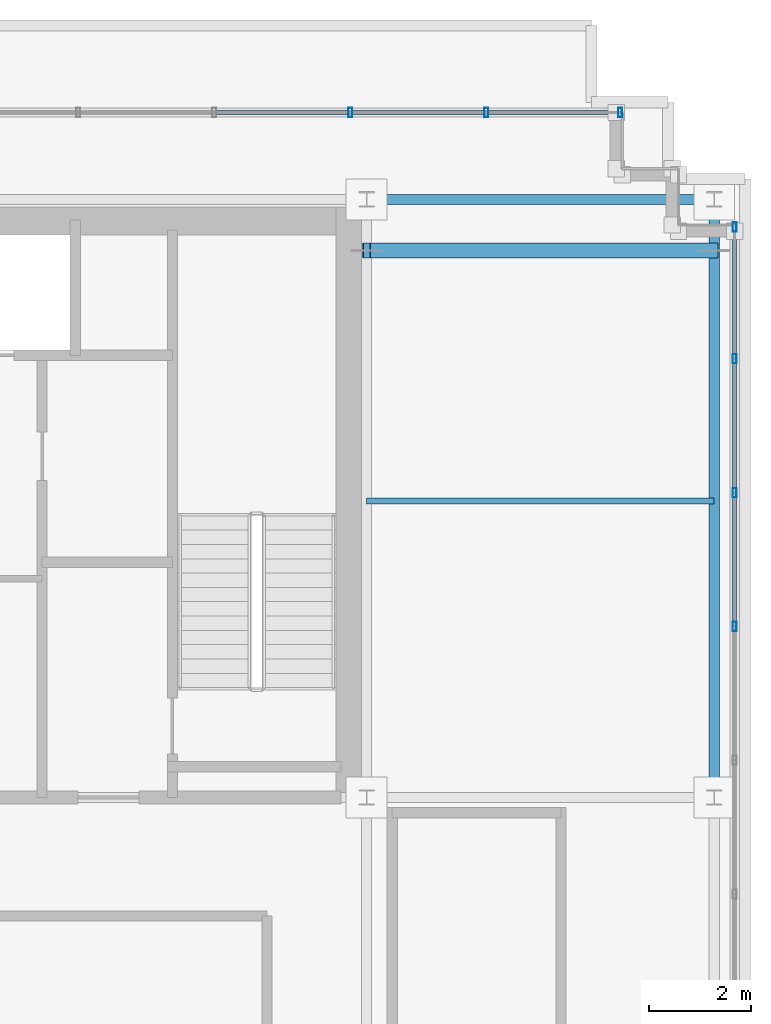
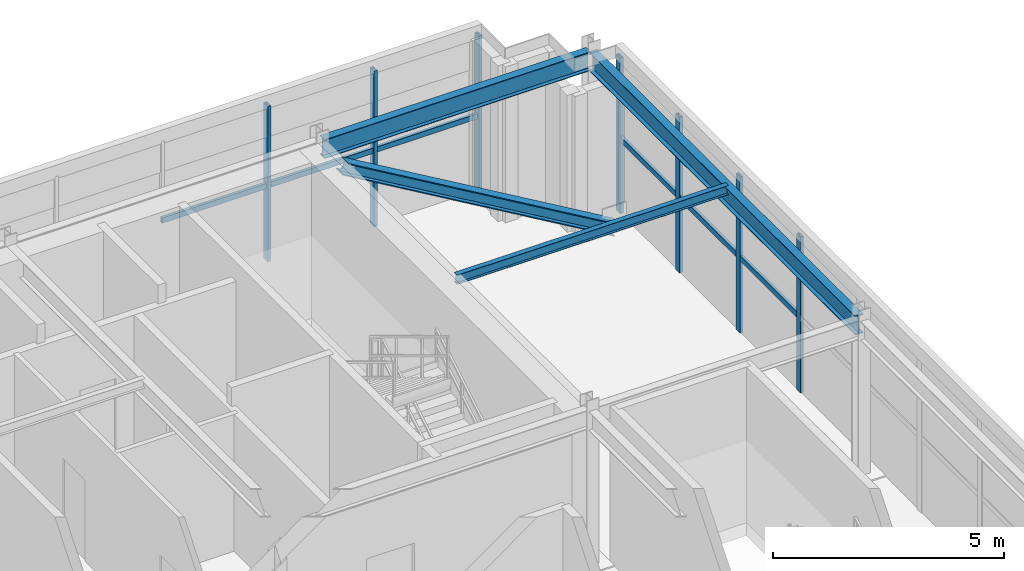
# One storey, part 24 of 38: 15 members, 2 beams, 2 elements without a shape of their own.
"""IFC4 building model written with IfcOpenShell, lengths in metres."""

from ifc_helpers import new_model, si_unit, direction, frame, origin, origin_2d, place, context, subcontext, project, spatial, hollow_rectangle, i_section, extrude, source, transform, mapped, material, material_profile, profile_set, type_object, element, aggregate, save


model = new_model("IFC4")

# Units and contexts
model_context = context("Model", 3, precision=1e-05, world=origin(), true_north=direction((0.0, 1.0)))
body_context = subcontext(model_context, "Body", "Model", "MODEL_VIEW")
ifc_project = project(units=[si_unit("LENGTHUNIT", "METRE"), si_unit("AREAUNIT", "SQUARE_METRE"), si_unit("VOLUMEUNIT", "CUBIC_METRE"), si_unit("PLANEANGLEUNIT", "RADIAN"), si_unit("MASSUNIT", "GRAM", prefix="KILO")], contexts=[model_context])

# Site, building, storey
site_placement = place(None, origin())
site = spatial("IfcSite", under=ifc_project, at=site_placement, CompositionType="ELEMENT")
building_placement = place(site_placement, origin())
building = spatial("IfcBuilding", under=site, at=building_placement, Name="Trelvane Seafront Commons", CompositionType="ELEMENT")
storey_placement = place(building_placement, frame((0.0, 0.0, 299.10009765625)))
storey = spatial("IfcBuildingStorey", under=building, at=storey_placement, Name="L78", CompositionType="ELEMENT", Elevation=299.10009765625)

# Beams
ifc_material_1 = material(Name="Steel SM355 (S355)", Category="steel")
ifc_material_profile_1 = material_profile(ifc_material_1, i_section(OverallWidth=0.199951171875, OverallDepth=0.5, WebThickness=0.010009765625, FlangeThickness=0.01611328125, at=origin_2d()), Name="H-500x200x10x16")
ifc_profile_set_1 = profile_set([ifc_material_profile_1], Name="Steel SM355 (S355)")
beam_type_1 = type_object("IfcBeamType", Name="STR-CROWN-FRAME-RING", PredefinedType="SPANDREL", material=ifc_profile_set_1)
shared_shape_1 = source(origin(), body_context, "Body", "SweptSolid", [
    extrude(i_section(OverallWidth=0.199951171875, OverallDepth=0.5, WebThickness=0.010009765625, FlangeThickness=0.01611328125, at=origin_2d()), origin(), (0.0, 0.0, 1.0), 6.64990234375),
])
beam_1_placement = place(storey_placement, frame((58.875, 45.10009765625, 3.869873046875), z_axis=(1.0, 0.0, 0.0), x_axis=(0.0, 1.0, 0.0)))
element("IfcBeam", 1, at=beam_1_placement, inside=storey, type_object=beam_type_1, Name="L78 CROWN FRAME Ring Beam G-21", PredefinedType="SPANDREL", context=body_context, shape_type="MappedRepresentation", body=[
    mapped(shared_shape_1, transform((0.0, 0.0, 0.0), x_axis=(1.0, 0.0, 0.0), y_axis=(0.0, 1.0, 0.0), z_axis=(0.0, 0.0, 1.0), scale=1.0)),
])
ifc_material_profile_2 = material_profile(ifc_material_1, i_section(OverallWidth=0.199951171875, OverallDepth=0.5, WebThickness=0.010009765625, FlangeThickness=0.01611328125, at=origin_2d()), Name="H-500x200x10x16")
ifc_profile_set_2 = profile_set([ifc_material_profile_2], Name="Steel SM355 (S355)")
beam_type_2 = type_object("IfcBeamType", Name="STR-BM-H500", PredefinedType="BEAM", material=ifc_profile_set_2)
shared_shape_2 = source(origin(), body_context, "Body", "SweptSolid", [
    extrude(i_section(OverallWidth=0.199951171875, OverallDepth=0.5, WebThickness=0.010009765625, FlangeThickness=0.01611328125, at=origin_2d()), origin(), (0.0, 0.0, 1.0), 11.5498046875),
])
beam_2_placement = place(storey_placement, frame((65.60009765625, 33.47509765625, 3.869873046875), z_axis=(0.0, 1.0, 0.0), x_axis=(-1.0, 0.0, 0.0)))
element("IfcBeam", 2, at=beam_2_placement, inside=storey, type_object=beam_type_2, Name="L78 Primary Girder G-37", PredefinedType="BEAM", context=body_context, shape_type="MappedRepresentation", body=[
    mapped(shared_shape_2, transform((0.0, 0.0, 0.0), x_axis=(1.0, 0.0, 0.0), y_axis=(0.0, 1.0, 0.0), z_axis=(0.0, 0.0, 1.0), scale=1.0)),
])

# Members
ifc_material_profile_3 = material_profile(ifc_material_1, i_section(OverallWidth=0.125, OverallDepth=0.25, WebThickness=0.006103515625, FlangeThickness=0.009033203125, at=origin_2d()), Name="H-250x125x6x9")
ifc_profile_set_3 = profile_set([ifc_material_profile_3], Name="Steel SM355 (S355)")
member_type_1 = type_object("IfcMemberType", Name="STR-PUR-H250", PredefinedType="PURLIN", material=ifc_profile_set_3)
shared_shape_3 = source(origin(), body_context, "Body", "SweptSolid", [
    extrude(i_section(OverallWidth=0.125, OverallDepth=0.25, WebThickness=0.006103515625, FlangeThickness=0.009033203125, at=origin_2d()), origin(), (0.0, 0.0, 1.0), 6.800048828125),
])
member_1_placement = place(storey_placement, frame((58.800048828125, 39.199951171875, 3.994873046875), z_axis=(1.0, 0.0, 0.0), x_axis=(0.0, 1.0, 0.0)))
element("IfcMember", 3, at=member_1_placement, inside=storey, type_object=member_type_1, Name="L78 Crown Roof Purlin PR-2", PredefinedType="PURLIN", context=body_context, shape_type="MappedRepresentation", body=[
    mapped(shared_shape_3, transform((0.0, 0.0, 0.0), x_axis=(1.0, 0.0, 0.0), y_axis=(0.0, 1.0, 0.0), z_axis=(0.0, 0.0, 1.0), scale=1.0)),
])
ifc_material_profile_4 = material_profile(ifc_material_1, i_section(OverallWidth=0.300048828125, OverallDepth=0.300048828125, WebThickness=0.014892578125, FlangeThickness=0.02392578125, at=origin_2d()), Name="HD-300x300x15x24")
ifc_profile_set_4 = profile_set([ifc_material_profile_4], Name="Steel SM355 (S355)")
member_type_2 = type_object("IfcMemberType", Name="STR-CROWN-FRAME-BRC", PredefinedType="BRACE", material=ifc_profile_set_4)
shared_shape_4 = source(origin(), body_context, "Body", "SweptSolid", [
    extrude(i_section(OverallWidth=0.300048828125, OverallDepth=0.300048828125, WebThickness=0.014892578125, FlangeThickness=0.02392578125, at=origin_2d()), origin(), (0.0, 0.0, 1.0), 7.88916015625),
])
member_2_placement = place(storey_placement, frame((65.60009765625, 44.10009765625, 0.0), z_axis=(-0.861935806202, 0.0, 0.507017421779), x_axis=(0.0, -1.0, 0.0)))
element("IfcMember", 4, at=member_2_placement, inside=storey, type_object=member_type_2, Name="L78 CROWN FRAME Diagonal Brace CE", PredefinedType="BRACE", context=body_context, shape_type="MappedRepresentation", body=[
    mapped(shared_shape_4, transform((0.0, 0.0, 0.0), x_axis=(1.0, 0.0, 0.0), y_axis=(0.0, 1.0, 0.0), z_axis=(0.0, 0.0, 1.0), scale=1.0)),
])

# Curtain wall, members
ifc_material_2 = material(Name="Anodised pale-silver aluminium", Category="aluminium")
curtain_wall_type = type_object("IfcCurtainWallType", Name="ARCH-CW6-CROWN", PredefinedType="NOTDEFINED", material=ifc_material_2)
curtain_wall_1_placement = place(storey_placement, origin())
curtain_wall_1 = element("IfcCurtainWall", 5, at=curtain_wall_1_placement, inside=storey, type_object=curtain_wall_type, Name="CW-L78-0125", PredefinedType="NOTDEFINED")
ifc_material_profile_5 = material_profile(ifc_material_2, hollow_rectangle(XDim=0.080078125, YDim=0.179931640625, WallThickness=0.00439453125, at=origin_2d()), Name="MULL-80x180x4.5")
ifc_profile_set_5 = profile_set([ifc_material_profile_5], Name="Anodised pale-silver aluminium")
member_type_3 = type_object("IfcMemberType", Name="ARCH-CW-MULL-180", PredefinedType="MULLION", material=ifc_profile_set_5)
shared_shape_5 = source(origin(), body_context, "Body", "SweptSolid", [
    extrude(hollow_rectangle(XDim=0.080078125, YDim=0.179931640625, WallThickness=0.00439453125, at=origin_2d()), origin(), (0.0, 0.0, 1.0), 4.119873046875),
])
member_3_placement = place(storey_placement, frame((58.47998046875, 46.800048828125, 0.0), z_axis=(0.0, 0.0, 1.0), x_axis=(1.0, 0.0, 0.0)))
member_3 = element("IfcMember", 6, at=member_3_placement, type_object=member_type_3, Name="CW-L78-0125-M18", PredefinedType="MULLION", context=body_context, shape_type="MappedRepresentation", body=[
    mapped(shared_shape_5, transform((0.0, 0.0, 0.0), x_axis=(1.0, 0.0, 0.0), y_axis=(0.0, 1.0, 0.0), z_axis=(0.0, 0.0, 1.0), scale=1.0)),
])
member_4_placement = place(storey_placement, frame((61.139892578125, 46.800048828125, 0.0), z_axis=(0.0, 0.0, 1.0), x_axis=(1.0, 0.0, 0.0)))
member_4 = element("IfcMember", 7, at=member_4_placement, type_object=member_type_3, Name="CW-L78-0125-M19", PredefinedType="MULLION", context=body_context, shape_type="MappedRepresentation", body=[
    mapped(shared_shape_5, transform((0.0, 0.0, 0.0), x_axis=(1.0, 0.0, 0.0), y_axis=(0.0, 1.0, 0.0), z_axis=(0.0, 0.0, 1.0), scale=1.0)),
])
member_5_placement = place(storey_placement, frame((63.760009765625, 46.800048828125, 0.0), z_axis=(0.0, 0.0, 1.0), x_axis=(1.0, 0.0, 0.0)))
member_5 = element("IfcMember", 8, at=member_5_placement, type_object=member_type_3, Name="CW-L78-0125-M20", PredefinedType="MULLION", context=body_context, shape_type="MappedRepresentation", body=[
    mapped(shared_shape_5, transform((0.0, 0.0, 0.0), x_axis=(1.0, 0.0, 0.0), y_axis=(0.0, 1.0, 0.0), z_axis=(0.0, 0.0, 1.0), scale=1.0)),
])

curtain_wall_2_placement = place(storey_placement, origin())
curtain_wall_2 = element("IfcCurtainWall", 9, at=curtain_wall_2_placement, inside=storey, type_object=curtain_wall_type, Name="CW-L78-0126", PredefinedType="NOTDEFINED")
member_6_placement = place(storey_placement, frame((66.0, 44.56005859375, 0.0), z_axis=(0.0, 0.0, 1.0), x_axis=(1.0, 0.0, 0.0)))
member_6 = element("IfcMember", 10, at=member_6_placement, type_object=member_type_3, Name="CW-L78-0126-M00", PredefinedType="MULLION", context=body_context, shape_type="MappedRepresentation", body=[
    mapped(shared_shape_5, transform((0.0, 0.0, 0.0), x_axis=(1.0, 0.0, 0.0), y_axis=(0.0, 1.0, 0.0), z_axis=(0.0, 0.0, 1.0), scale=1.0)),
])
member_7_placement = place(storey_placement, frame((66.0, 41.981689453125, 0.0), z_axis=(0.0, 0.0, 1.0), x_axis=(1.0, 0.0, 0.0)))
member_7 = element("IfcMember", 11, at=member_7_placement, type_object=member_type_3, Name="CW-L78-0126-M01", PredefinedType="MULLION", context=body_context, shape_type="MappedRepresentation", body=[
    mapped(shared_shape_5, transform((0.0, 0.0, 0.0), x_axis=(1.0, 0.0, 0.0), y_axis=(0.0, 1.0, 0.0), z_axis=(0.0, 0.0, 1.0), scale=1.0)),
])
member_8_placement = place(storey_placement, frame((66.0, 39.363525390625, 0.0), z_axis=(0.0, 0.0, 1.0), x_axis=(1.0, 0.0, 0.0)))
member_8 = element("IfcMember", 12, at=member_8_placement, type_object=member_type_3, Name="CW-L78-0126-M02", PredefinedType="MULLION", context=body_context, shape_type="MappedRepresentation", body=[
    mapped(shared_shape_5, transform((0.0, 0.0, 0.0), x_axis=(1.0, 0.0, 0.0), y_axis=(0.0, 1.0, 0.0), z_axis=(0.0, 0.0, 1.0), scale=1.0)),
])
member_9_placement = place(storey_placement, frame((66.0, 36.74560546875, 0.0), z_axis=(0.0, 0.0, 1.0), x_axis=(1.0, 0.0, 0.0)))
member_9 = element("IfcMember", 13, at=member_9_placement, type_object=member_type_3, Name="CW-L78-0126-M03", PredefinedType="MULLION", context=body_context, shape_type="MappedRepresentation", body=[
    mapped(shared_shape_5, transform((0.0, 0.0, 0.0), x_axis=(1.0, 0.0, 0.0), y_axis=(0.0, 1.0, 0.0), z_axis=(0.0, 0.0, 1.0), scale=1.0)),
])
ifc_material_profile_6 = material_profile(ifc_material_2, hollow_rectangle(XDim=0.074951171875, YDim=0.139892578125, WallThickness=0.00390625, at=origin_2d()), Name="TRAN-75x140x4")
ifc_profile_set_6 = profile_set([ifc_material_profile_6], Name="Anodised pale-silver aluminium")
member_type_4 = type_object("IfcMemberType", Name="ARCH-CW-TRAN-140", PredefinedType="USERDEFINED", material=ifc_profile_set_6)
shared_shape_6 = source(origin(), body_context, "Body", "SweptSolid", [
    extrude(hollow_rectangle(XDim=0.074951171875, YDim=0.139892578125, WallThickness=0.00390625, at=origin_2d()), origin(), (0.0, 0.0, 1.0), 2.59423828125),
])
member_10_placement = place(storey_placement, frame((66.0, 41.9697265625, 1.977783203125), z_axis=(0.0, -1.0, 0.0), x_axis=(1.0, 0.0, 0.0)))
member_10 = element("IfcMember", 14, at=member_10_placement, type_object=member_type_4, Name="CW-L78-0126-T01", ObjectType="TRANSOM", PredefinedType="USERDEFINED", context=body_context, shape_type="MappedRepresentation", body=[
    mapped(shared_shape_6, transform((0.0, 0.0, 0.0), x_axis=(1.0, 0.0, 0.0), y_axis=(0.0, 1.0, 0.0), z_axis=(0.0, 0.0, 1.0), scale=1.0)),
])
shared_shape_7 = source(origin(), body_context, "Body", "SweptSolid", [
    extrude(hollow_rectangle(XDim=0.074951171875, YDim=0.139892578125, WallThickness=0.00390625, at=origin_2d()), origin(), (0.0, 0.0, 1.0), 2.593994140625),
])
member_11_placement = place(storey_placement, frame((66.0, 44.587890625, 1.977783203125), z_axis=(0.0, -1.0, 0.0), x_axis=(1.0, 0.0, 0.0)))
member_11 = element("IfcMember", 15, at=member_11_placement, type_object=member_type_4, Name="CW-L78-0126-T00", ObjectType="TRANSOM", PredefinedType="USERDEFINED", context=body_context, shape_type="MappedRepresentation", body=[
    mapped(shared_shape_7, transform((0.0, 0.0, 0.0), x_axis=(1.0, 0.0, 0.0), y_axis=(0.0, 1.0, 0.0), z_axis=(0.0, 0.0, 1.0), scale=1.0)),
])
member_12_placement = place(storey_placement, frame((66.0, 39.3515625, 1.977783203125), z_axis=(0.0, -1.0, 0.0), x_axis=(1.0, 0.0, 0.0)))
member_12 = element("IfcMember", 16, at=member_12_placement, type_object=member_type_4, Name="CW-L78-0126-T02", ObjectType="TRANSOM", PredefinedType="USERDEFINED", context=body_context, shape_type="MappedRepresentation", body=[
    mapped(shared_shape_7, transform((0.0, 0.0, 0.0), x_axis=(1.0, 0.0, 0.0), y_axis=(0.0, 1.0, 0.0), z_axis=(0.0, 0.0, 1.0), scale=1.0)),
])
aggregate(curtain_wall_2, [member_6, member_7, member_8, member_9, member_11, member_10, member_12])

# Member
shared_shape_8 = source(origin(), body_context, "Body", "SweptSolid", [
    extrude(hollow_rectangle(XDim=0.074951171875, YDim=0.139892578125, WallThickness=0.00390625, at=origin_2d()), origin(), (0.0, 0.0, 1.0), 2.635986328125),
])
member_13_placement = place(storey_placement, frame((55.83203125, 46.800048828125, 1.977783203125), z_axis=(1.0, 0.0, 0.0), x_axis=(0.0, 1.0, 0.0)))
member_13 = element("IfcMember", 17, at=member_13_placement, type_object=member_type_4, Name="CW-L78-0125-T17", ObjectType="TRANSOM", PredefinedType="USERDEFINED", context=body_context, shape_type="MappedRepresentation", body=[
    mapped(shared_shape_8, transform((0.0, 0.0, 0.0), x_axis=(1.0, 0.0, 0.0), y_axis=(0.0, 1.0, 0.0), z_axis=(0.0, 0.0, 1.0), scale=1.0)),
])

member_14_placement = place(storey_placement, frame((58.491943359375, 46.800048828125, 1.977783203125), z_axis=(1.0, 0.0, 0.0), x_axis=(0.0, 1.0, 0.0)))
member_14 = element("IfcMember", 18, at=member_14_placement, type_object=member_type_4, Name="CW-L78-0125-T18", ObjectType="TRANSOM", PredefinedType="USERDEFINED", context=body_context, shape_type="MappedRepresentation", body=[
    mapped(shared_shape_8, transform((0.0, 0.0, 0.0), x_axis=(1.0, 0.0, 0.0), y_axis=(0.0, 1.0, 0.0), z_axis=(0.0, 0.0, 1.0), scale=1.0)),
])

member_15_placement = place(storey_placement, frame((61.152099609375, 46.800048828125, 1.977783203125), z_axis=(1.0, 0.0, 0.0), x_axis=(0.0, 1.0, 0.0)))
member_15 = element("IfcMember", 19, at=member_15_placement, type_object=member_type_4, Name="CW-L78-0125-T19", ObjectType="TRANSOM", PredefinedType="USERDEFINED", context=body_context, shape_type="MappedRepresentation", body=[
    mapped(shared_shape_8, transform((0.0, 0.0, 0.0), x_axis=(1.0, 0.0, 0.0), y_axis=(0.0, 1.0, 0.0), z_axis=(0.0, 0.0, 1.0), scale=1.0)),
])

aggregate(curtain_wall_1, [member_3, member_4, member_5, member_13, member_14, member_15])

save(model, "model.ifc")
